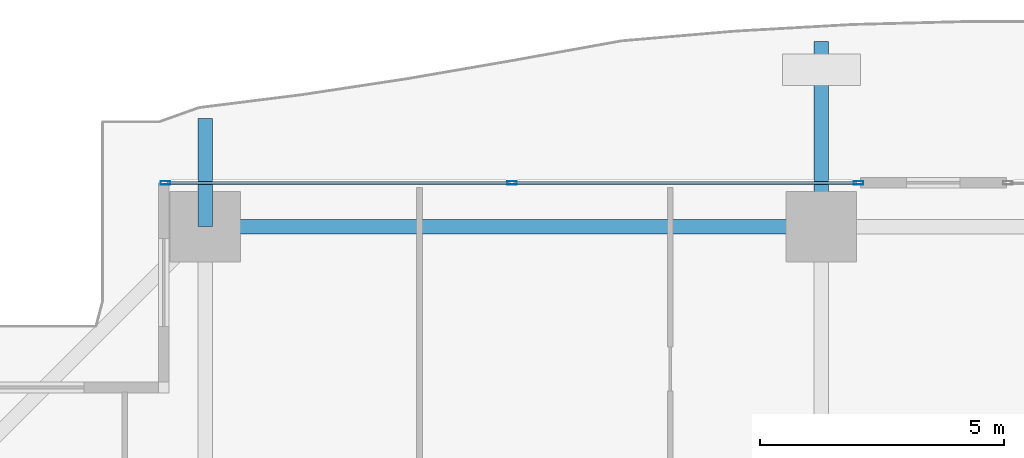
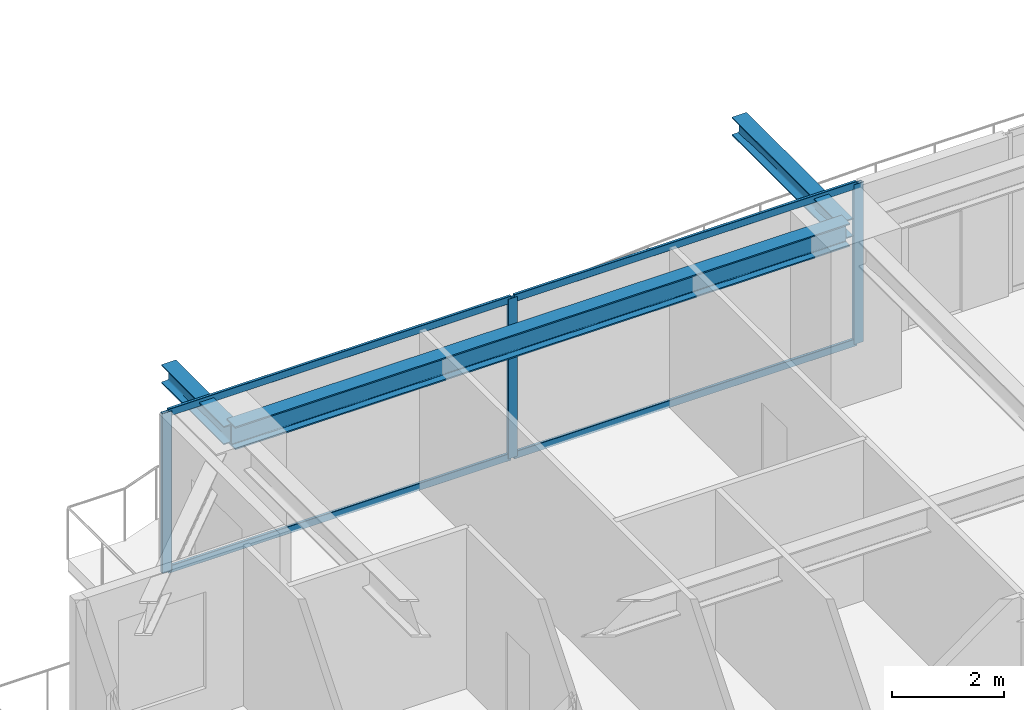
# One storey, part 20 of 38: 7 members, 3 beams, 1 element without a shape of its own.
"""IFC4 building model written with IfcOpenShell, lengths in metres."""

from ifc_helpers import new_model, si_unit, direction, frame, origin, origin_2d, place, context, subcontext, project, spatial, hollow_rectangle, i_section, extrude, source, transform, mapped, material, layer, layer_set, material_profile, profile_set, type_object, element, aggregate, save


model = new_model("IFC4")

# Units and contexts
model_context = context("Model", 3, precision=1e-05, world=origin(), true_north=direction((0.0, 1.0)))
body_context = subcontext(model_context, "Body", "Model", "MODEL_VIEW")
ifc_project = project(units=[si_unit("LENGTHUNIT", "METRE"), si_unit("AREAUNIT", "SQUARE_METRE"), si_unit("VOLUMEUNIT", "CUBIC_METRE"), si_unit("PLANEANGLEUNIT", "RADIAN"), si_unit("MASSUNIT", "GRAM", prefix="KILO")], contexts=[model_context])

# Site, building, storey
site_placement = place(None, origin())
site = spatial("IfcSite", under=ifc_project, at=site_placement, CompositionType="ELEMENT")
building_placement = place(site_placement, origin())
building = spatial("IfcBuilding", under=site, at=building_placement, Name="Serunith Strait Residences", CompositionType="ELEMENT")
storey_placement = place(building_placement, frame((0.0, 0.0, 67.949951171875)))
storey = spatial("IfcBuildingStorey", under=building, at=storey_placement, Name="L16", CompositionType="ELEMENT", Elevation=67.949951171875)

# Beams
ifc_material_1 = material(Name="Steel S355J2", Category="steel")
ifc_material_profile_1 = material_profile(ifc_material_1, i_section(OverallWidth=0.300048828125, OverallDepth=0.5, WebThickness=0.014404296875, FlangeThickness=0.028076171875, FilletRadius=0.027099609375, at=origin_2d()), Name="HEB 500")
ifc_profile_set_1 = profile_set([ifc_material_profile_1], Name="Steel S355J2")
beam_type_1 = type_object("IfcBeamType", Name="BM-HEB500", PredefinedType="BEAM", material=ifc_profile_set_1)
shared_shape_1 = source(origin(), body_context, "Body", "SweptSolid", [
    extrude(i_section(OverallWidth=0.300048828125, OverallDepth=0.5, WebThickness=0.014404296875, FlangeThickness=0.028076171875, FilletRadius=0.027099609375, at=origin_2d()), origin(), (0.0, 0.0, 1.0), 12.64990234375),
])
beam_1_placement = place(storey_placement, frame((27.89990234375, 49.300048828125, 3.237060546875), z_axis=(-1.0, 0.0, 0.0), x_axis=(0.0, -1.0, 0.0)))
element("IfcBeam", 1, at=beam_1_placement, inside=storey, type_object=beam_type_1, Name="L16 Perimeter Ring Beam 11", PredefinedType="BEAM", context=body_context, shape_type="MappedRepresentation", body=[
    mapped(shared_shape_1, transform((0.0, 0.0, 0.0), scale=1.0)),
])
ifc_material_profile_2 = material_profile(ifc_material_1, i_section(OverallWidth=0.300048828125, OverallDepth=0.39990234375, WebThickness=0.013427734375, FlangeThickness=0.02392578125, FilletRadius=0.027099609375, at=origin_2d()), Name="HEB 400")
ifc_profile_set_2 = profile_set([ifc_material_profile_2], Name="Steel S355J2")
beam_type_2 = type_object("IfcBeamType", Name="BM-HEB400", PredefinedType="BEAM", material=ifc_profile_set_2)
shared_shape_2 = source(origin(), body_context, "Body", "SweptSolid", [
    extrude(i_section(OverallWidth=0.300048828125, OverallDepth=0.39990234375, WebThickness=0.013427734375, FlangeThickness=0.02392578125, FilletRadius=0.027099609375, at=origin_2d()), origin(), (0.0, 0.0, 1.0), 3.800048828125),
])
beam_2_placement = place(storey_placement, frame((27.89990234375, 49.300048828125, 3.257080078125), z_axis=(0.0, 1.0, 0.0), x_axis=(-1.0, 0.0, 0.0)))
element("IfcBeam", 2, at=beam_2_placement, inside=storey, type_object=beam_type_2, Name="L17 Cantilevered Balcony Rib TC-N2", PredefinedType="BEAM", context=body_context, shape_type="MappedRepresentation", body=[
    mapped(shared_shape_2, transform((0.0, 0.0, 0.0), scale=1.0)),
])
shared_shape_3 = source(origin(), body_context, "Body", "SweptSolid", [
    extrude(i_section(OverallWidth=0.300048828125, OverallDepth=0.39990234375, WebThickness=0.013427734375, FlangeThickness=0.02392578125, FilletRadius=0.027099609375, at=origin_2d()), origin(), (0.0, 0.0, 1.0), 2.222900390625),
])
beam_3_placement = place(storey_placement, frame((15.25, 49.300048828125, 3.257080078125), z_axis=(0.0, 1.0, 0.0), x_axis=(-1.0, 0.0, 0.0)))
element("IfcBeam", 3, at=beam_3_placement, inside=storey, type_object=beam_type_2, Name="L17 Cantilevered Balcony Rib TC-N1", PredefinedType="BEAM", context=body_context, shape_type="MappedRepresentation", body=[
    mapped(shared_shape_3, transform((0.0, 0.0, 0.0), scale=1.0)),
])

# Curtain wall, members
ifc_material_2 = material(Name="Pale-Champagne Anodised Aluminium", Category="aluminium")
ifc_layer = layer(ifc_material_2, 0.199951171875, Name="Pale-Champagne Anodised Aluminium")
ifc_layer_set = layer_set([ifc_layer], Name="Pale-Champagne Anodised Aluminium")
curtain_wall_type = type_object("IfcCurtainWallType", Name="CW-SYS1", PredefinedType="NOTDEFINED", material=ifc_layer_set)
curtain_wall_placement = place(storey_placement, origin())
curtain_wall = element("IfcCurtainWall", 4, at=curtain_wall_placement, inside=storey, type_object=curtain_wall_type, Name="L16 N Unitised Fritted Curtain Wall", PredefinedType="NOTDEFINED")
ifc_material_profile_3 = material_profile(ifc_material_2, hollow_rectangle(XDim=0.070068359375, YDim=0.199951171875, WallThickness=0.00390625, InnerFilletRadius=0.006103515625, OuterFilletRadius=0.010009765625, at=origin_2d()), Name="ALU 200x70x4")
ifc_profile_set_3 = profile_set([ifc_material_profile_3], Name="Pale-Champagne Anodised Aluminium")
member_type_1 = type_object("IfcMemberType", Name="CW-SYS1-MULL", PredefinedType="MULLION", material=ifc_profile_set_3)
shared_shape_4 = source(origin(), body_context, "Body", "SweptSolid", [
    extrude(hollow_rectangle(XDim=0.070068359375, YDim=0.199951171875, WallThickness=0.00390625, InnerFilletRadius=0.006103515625, OuterFilletRadius=0.010009765625, at=origin_2d()), origin(), (0.0, 0.0, 1.0), 3.47509765625),
])
member_1_placement = place(storey_placement, frame((28.6650390625, 50.199951171875, 0.0), z_axis=(0.0, 0.0, 1.0), x_axis=(0.0, -1.0, 0.0)))
member_1 = element("IfcMember", 5, at=member_1_placement, type_object=member_type_1, Name="CW-1 mullion 1", PredefinedType="MULLION", context=body_context, shape_type="MappedRepresentation", body=[
    mapped(shared_shape_4, transform((0.0, 0.0, 0.0), scale=1.0)),
])
member_2_placement = place(storey_placement, frame((21.550048828125, 50.199951171875, 0.0), z_axis=(0.0, 0.0, 1.0), x_axis=(0.0, -1.0, 0.0)))
member_2 = element("IfcMember", 6, at=member_2_placement, type_object=member_type_1, Name="CW-1 mullion 2", PredefinedType="MULLION", context=body_context, shape_type="MappedRepresentation", body=[
    mapped(shared_shape_4, transform((0.0, 0.0, 0.0), scale=1.0)),
])
member_3_placement = place(storey_placement, frame((14.43505859375, 50.199951171875, 0.0), z_axis=(0.0, 0.0, 1.0), x_axis=(0.0, -1.0, 0.0)))
member_3 = element("IfcMember", 7, at=member_3_placement, type_object=member_type_1, Name="CW-1 mullion 3", PredefinedType="MULLION", context=body_context, shape_type="MappedRepresentation", body=[
    mapped(shared_shape_4, transform((0.0, 0.0, 0.0), scale=1.0)),
])
ifc_material_profile_4 = material_profile(ifc_material_2, hollow_rectangle(XDim=0.06005859375, YDim=0.159912109375, WallThickness=0.00341796875, InnerFilletRadius=0.00537109375, OuterFilletRadius=0.0087890625, at=origin_2d()), Name="ALU 160x60x3.5")
ifc_profile_set_4 = profile_set([ifc_material_profile_4], Name="Pale-Champagne Anodised Aluminium")
member_type_2 = type_object("IfcMemberType", Name="CW-SYS1-TRAN", PredefinedType="USERDEFINED", material=ifc_profile_set_4)
shared_shape_5 = source(origin(), body_context, "Body", "SweptSolid", [
    extrude(hollow_rectangle(XDim=0.06005859375, YDim=0.159912109375, WallThickness=0.00341796875, InnerFilletRadius=0.00537109375, OuterFilletRadius=0.0087890625, at=origin_2d()), origin(), (0.0, 0.0, 1.0), 7.044921875),
])
member_4_placement = place(storey_placement, frame((28.6298828125, 50.199951171875, 0.030029296875), z_axis=(-1.0, 0.0, 0.0), x_axis=(0.0, -1.0, 0.0)))
member_4 = element("IfcMember", 8, at=member_4_placement, type_object=member_type_2, Name="CW-1 transom 1.1", ObjectType="TRANSOM", PredefinedType="USERDEFINED", context=body_context, shape_type="MappedRepresentation", body=[
    mapped(shared_shape_5, transform((0.0, 0.0, 0.0), scale=1.0)),
])
member_5_placement = place(storey_placement, frame((28.6298828125, 50.199951171875, 3.445068359375), z_axis=(-1.0, 0.0, 0.0), x_axis=(0.0, -1.0, 0.0)))
member_5 = element("IfcMember", 9, at=member_5_placement, type_object=member_type_2, Name="CW-1 transom 1.2", ObjectType="TRANSOM", PredefinedType="USERDEFINED", context=body_context, shape_type="MappedRepresentation", body=[
    mapped(shared_shape_5, transform((0.0, 0.0, 0.0), scale=1.0)),
])
member_6_placement = place(storey_placement, frame((21.514892578125, 50.199951171875, 0.030029296875), z_axis=(-1.0, 0.0, 0.0), x_axis=(0.0, -1.0, 0.0)))
member_6 = element("IfcMember", 10, at=member_6_placement, type_object=member_type_2, Name="CW-1 transom 2.1", ObjectType="TRANSOM", PredefinedType="USERDEFINED", context=body_context, shape_type="MappedRepresentation", body=[
    mapped(shared_shape_5, transform((0.0, 0.0, 0.0), scale=1.0)),
])
member_7_placement = place(storey_placement, frame((21.514892578125, 50.199951171875, 3.445068359375), z_axis=(-1.0, 0.0, 0.0), x_axis=(0.0, -1.0, 0.0)))
member_7 = element("IfcMember", 11, at=member_7_placement, type_object=member_type_2, Name="CW-1 transom 2.2", ObjectType="TRANSOM", PredefinedType="USERDEFINED", context=body_context, shape_type="MappedRepresentation", body=[
    mapped(shared_shape_5, transform((0.0, 0.0, 0.0), scale=1.0)),
])
aggregate(curtain_wall, [member_1, member_2, member_3, member_4, member_5, member_6, member_7])

save(model, "model.ifc")
